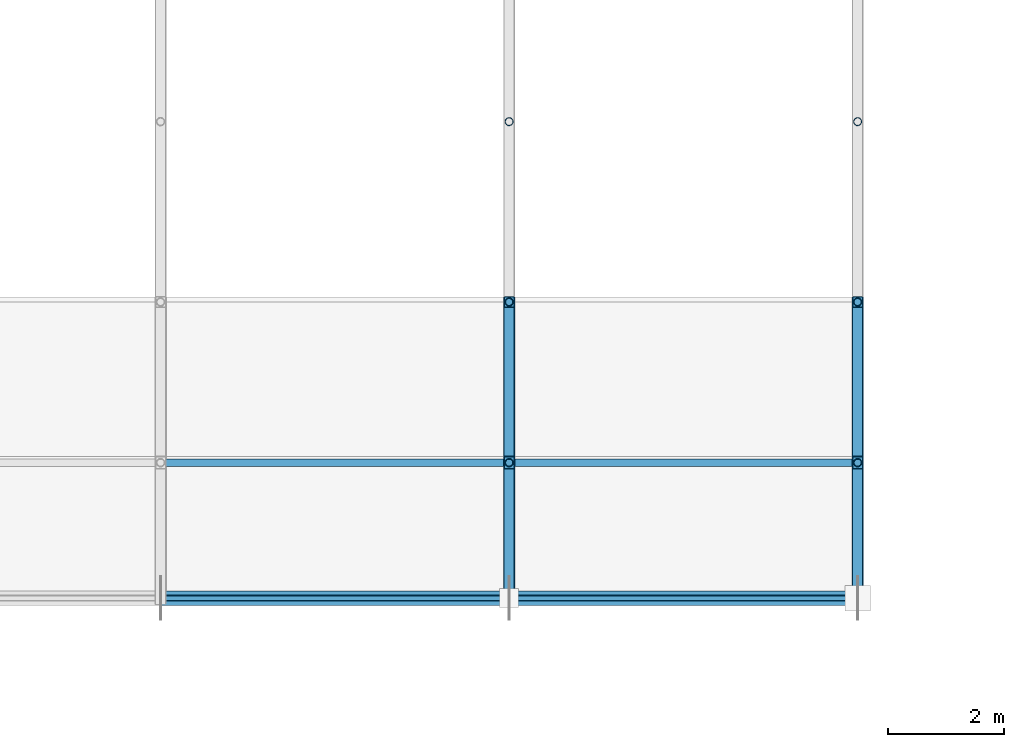
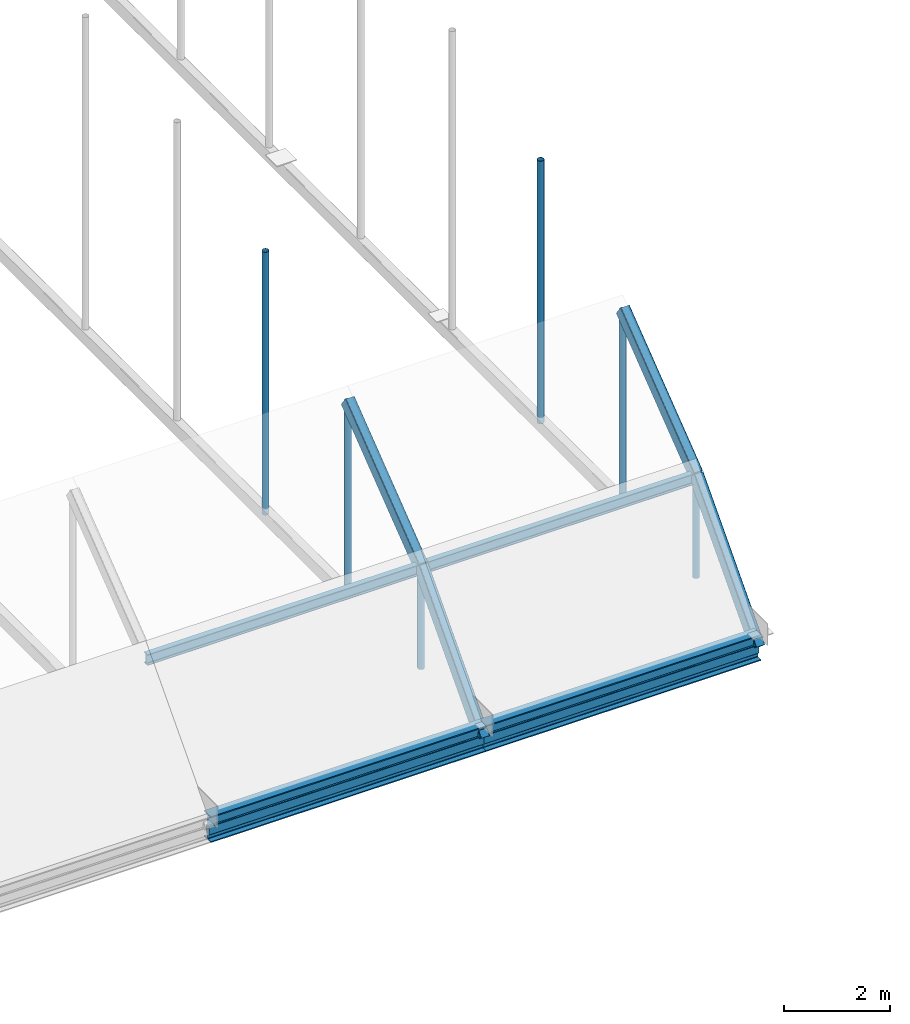
# One storey, part 25 of 63: 10 members, 6 beams.
"""IFC4 building model written with IfcOpenShell, lengths in metres."""

from ifc_helpers import new_model, si_unit, direction, frame, origin, origin_2d, place, context, subcontext, project, spatial, hollow_rectangle, hollow_circle, i_section, extrude, material, material_profile, profile_set, type_object, element, save


model = new_model("IFC4")

# Units and contexts
model_context = context("Model", 3, precision=1e-05, world=origin(), true_north=direction((0.0, 1.0)))
body_context = subcontext(model_context, "Body", "Model", "MODEL_VIEW")
ifc_project = project(units=[si_unit("LENGTHUNIT", "METRE"), si_unit("AREAUNIT", "SQUARE_METRE"), si_unit("VOLUMEUNIT", "CUBIC_METRE"), si_unit("PLANEANGLEUNIT", "RADIAN"), si_unit("MASSUNIT", "GRAM", prefix="KILO")], contexts=[model_context])

# Site, building, storey
site_placement = place(None, origin())
site = spatial("IfcSite", under=ifc_project, at=site_placement, CompositionType="ELEMENT")
building_placement = place(site_placement, origin())
building = spatial("IfcBuilding", under=site, at=building_placement, Name="Varnakota Square Police Headquarters", CompositionType="ELEMENT")
storey_placement = place(building_placement, frame((0.0, 0.0, 22.199951171875)))
storey = spatial("IfcBuildingStorey", under=building, at=storey_placement, Name="L05", CompositionType="ELEMENT", Elevation=22.199951171875)

# Beams
ifc_material = material(Name="Steel IS 2062 Grade 350", Category="steel")
ifc_material_profile_1 = material_profile(ifc_material, i_section(OverallWidth=0.25, OverallDepth=0.60009765625, WebThickness=0.01171875, FlangeThickness=0.023681640625, FilletRadius=0.01708984375, at=origin_2d()), Name="ISWB 600")
ifc_profile_set_1 = profile_set([ifc_material_profile_1], Name="Steel IS 2062 Grade 350")
beam_type_1 = type_object("IfcBeamType", Name="BM-ISWB600", PredefinedType="BEAM", material=ifc_profile_set_1)
for number, where, z_axis, x_axis, name in (
    (1, (84.0, 69.0, -0.300048828125), (1.0, 0.0, 0.0), (0.0, 1.0, 0.0), "Vault V2 south ring beam"),
    (2, (90.0, 69.0, -0.300048828125), (1.0, 0.0, 0.0), (0.0, 1.0, 0.0), "Vault V2 south ring beam"),
):
    element("IfcBeam", number, at=place(storey_placement, frame(where, z_axis=z_axis, x_axis=x_axis)), inside=storey, type_object=beam_type_1, Name=name, PredefinedType="BEAM", context=body_context, shape_type="SweptSolid", body=[
        extrude(i_section(OverallWidth=0.25, OverallDepth=0.60009765625, WebThickness=0.01171875, FlangeThickness=0.023681640625, FilletRadius=0.01708984375, at=origin_2d()), origin(), (0.0, 0.0, 1.0), 6.0),
    ])
ifc_material_profile_2 = material_profile(ifc_material, hollow_rectangle(XDim=0.199951171875, YDim=0.300048828125, WallThickness=0.011962890625, InnerFilletRadius=0.011962890625, OuterFilletRadius=0.02392578125, at=origin_2d()), Name="RHS 300x200x12")
ifc_profile_set_2 = profile_set([ifc_material_profile_2], Name="Steel IS 2062 Grade 350")
beam_type_2 = type_object("IfcBeamType", Name="BM-VR-RHS300", PredefinedType="BEAM", material=ifc_profile_set_2)
beam_1_placement = place(storey_placement, frame((90.0, 69.0, -0.366455078125), z_axis=(0.0, 0.671520631111, 0.740985858159), x_axis=(-1.0, 0.0, 0.0)))
element("IfcBeam", 3, at=beam_1_placement, inside=storey, type_object=beam_type_2, Name="Barrel vault arch rib chord VR-V2-R06-S01", PredefinedType="BEAM", context=body_context, shape_type="SweptSolid", body=[
    extrude(hollow_rectangle(XDim=0.199951171875, YDim=0.300048828125, WallThickness=0.011962890625, InnerFilletRadius=0.011962890625, OuterFilletRadius=0.02392578125, at=origin_2d()), origin(), (0.0, 0.0, 1.0), 3.472412109375),
])
beam_2_placement = place(storey_placement, frame((90.0, 71.331787109375, 2.20654296875), z_axis=(0.0, 0.792062306817, 0.610440252703), x_axis=(-1.0, 0.0, 0.0)))
element("IfcBeam", 4, at=beam_2_placement, inside=storey, type_object=beam_type_2, Name="Barrel vault arch rib chord VR-V2-R06-S02", PredefinedType="BEAM", context=body_context, shape_type="SweptSolid", body=[
    extrude(hollow_rectangle(XDim=0.199951171875, YDim=0.300048828125, WallThickness=0.011962890625, InnerFilletRadius=0.011962890625, OuterFilletRadius=0.02392578125, at=origin_2d()), origin(), (0.0, 0.0, 1.0), 3.4921875),
])
beam_3_placement = place(storey_placement, frame((96.0, 69.0, -0.366455078125), z_axis=(0.0, 0.671520631111, 0.740985858159), x_axis=(-1.0, 0.0, 0.0)))
element("IfcBeam", 5, at=beam_3_placement, inside=storey, type_object=beam_type_2, Name="Barrel vault arch rib chord VR-V2-R07-S01", PredefinedType="BEAM", context=body_context, shape_type="SweptSolid", body=[
    extrude(hollow_rectangle(XDim=0.199951171875, YDim=0.300048828125, WallThickness=0.011962890625, InnerFilletRadius=0.011962890625, OuterFilletRadius=0.02392578125, at=origin_2d()), origin(), (0.0, 0.0, 1.0), 3.472412109375),
])
beam_4_placement = place(storey_placement, frame((96.0, 71.331787109375, 2.20654296875), z_axis=(0.0, 0.792062306817, 0.610440252703), x_axis=(-1.0, 0.0, 0.0)))
element("IfcBeam", 6, at=beam_4_placement, inside=storey, type_object=beam_type_2, Name="Barrel vault arch rib chord VR-V2-R07-S02", PredefinedType="BEAM", context=body_context, shape_type="SweptSolid", body=[
    extrude(hollow_rectangle(XDim=0.199951171875, YDim=0.300048828125, WallThickness=0.011962890625, InnerFilletRadius=0.011962890625, OuterFilletRadius=0.02392578125, at=origin_2d()), origin(), (0.0, 0.0, 1.0), 3.4921875),
])

# Members
ifc_material_profile_3 = material_profile(ifc_material, hollow_circle(Radius=0.06982421875, WallThickness=0.006103515625, at=origin_2d()), Name="CHS 139.7x6.0")
ifc_profile_set_3 = profile_set([ifc_material_profile_3], Name="Steel IS 2062 Grade 350")
member_type_1 = type_object("IfcMemberType", Name="MEM-HNG-CHS139", PredefinedType="STRUT", material=ifc_profile_set_3)
member_1_placement = place(storey_placement, frame((90.0, 71.331787109375, -0.14990234375), z_axis=(0.0, 0.0, 1.0), x_axis=(1.0, 0.0, 0.0)))
element("IfcMember", 7, at=member_1_placement, inside=storey, type_object=member_type_1, Name="Barrel vault hanger strut V2-R06-N1", PredefinedType="STRUT", context=body_context, shape_type="SweptSolid", body=[
    extrude(hollow_circle(Radius=0.06982421875, WallThickness=0.006103515625, at=origin_2d()), origin(), (0.0, 0.0, 1.0), 2.3564453125),
])
member_2_placement = place(storey_placement, frame((90.0, 74.097900390625, -0.14990234375), z_axis=(0.0, 0.0, 1.0), x_axis=(1.0, 0.0, 0.0)))
element("IfcMember", 8, at=member_2_placement, inside=storey, type_object=member_type_1, Name="Barrel vault hanger strut V2-R06-N2", PredefinedType="STRUT", context=body_context, shape_type="SweptSolid", body=[
    extrude(hollow_circle(Radius=0.06982421875, WallThickness=0.006103515625, at=origin_2d()), origin(), (0.0, 0.0, 1.0), 4.48828125),
])
member_3_placement = place(storey_placement, frame((90.0, 77.20361328125, -0.14990234375), z_axis=(0.0, 0.0, 1.0), x_axis=(1.0, 0.0, 0.0)))
element("IfcMember", 9, at=member_3_placement, inside=storey, type_object=member_type_1, Name="Barrel vault hanger strut V2-R06-N3", PredefinedType="STRUT", context=body_context, shape_type="SweptSolid", body=[
    extrude(hollow_circle(Radius=0.06982421875, WallThickness=0.006103515625, at=origin_2d()), origin(), (0.0, 0.0, 1.0), 6.060302734375),
])
member_4_placement = place(storey_placement, frame((96.0, 71.331787109375, -0.14990234375), z_axis=(0.0, 0.0, 1.0), x_axis=(1.0, 0.0, 0.0)))
element("IfcMember", 10, at=member_4_placement, inside=storey, type_object=member_type_1, Name="Barrel vault hanger strut V2-R07-N1", PredefinedType="STRUT", context=body_context, shape_type="SweptSolid", body=[
    extrude(hollow_circle(Radius=0.06982421875, WallThickness=0.006103515625, at=origin_2d()), origin(), (0.0, 0.0, 1.0), 2.3564453125),
])
member_5_placement = place(storey_placement, frame((96.0, 74.097900390625, -0.14990234375), z_axis=(0.0, 0.0, 1.0), x_axis=(1.0, 0.0, 0.0)))
element("IfcMember", 11, at=member_5_placement, inside=storey, type_object=member_type_1, Name="Barrel vault hanger strut V2-R07-N2", PredefinedType="STRUT", context=body_context, shape_type="SweptSolid", body=[
    extrude(hollow_circle(Radius=0.06982421875, WallThickness=0.006103515625, at=origin_2d()), origin(), (0.0, 0.0, 1.0), 4.48828125),
])
member_6_placement = place(storey_placement, frame((96.0, 77.20361328125, -0.14990234375), z_axis=(0.0, 0.0, 1.0), x_axis=(1.0, 0.0, 0.0)))
element("IfcMember", 12, at=member_6_placement, inside=storey, type_object=member_type_1, Name="Barrel vault hanger strut V2-R07-N3", PredefinedType="STRUT", context=body_context, shape_type="SweptSolid", body=[
    extrude(hollow_circle(Radius=0.06982421875, WallThickness=0.006103515625, at=origin_2d()), origin(), (0.0, 0.0, 1.0), 6.060302734375),
])
ifc_material_profile_4 = material_profile(ifc_material, i_section(OverallWidth=0.125, OverallDepth=0.25, WebThickness=0.0068359375, FlangeThickness=0.012451171875, FilletRadius=0.012939453125, at=origin_2d()), Name="ISMB 250")
ifc_profile_set_4 = profile_set([ifc_material_profile_4], Name="Steel IS 2062 Grade 350")
member_type_2 = type_object("IfcMemberType", Name="MEM-PUR-ISMB250", PredefinedType="PURLIN", material=ifc_profile_set_4)
for number, where, z_axis, x_axis, name in (
    (13, (84.0, 71.331787109375, 2.156494140625), (1.0, 0.0, 0.0), (0.0, 1.0, 0.0), "Vault roof purlin V2-B05-N01"),
    (14, (90.0, 71.331787109375, 2.156494140625), (1.0, 0.0, 0.0), (0.0, 1.0, 0.0), "Vault roof purlin V2-B06-N01"),
):
    element("IfcMember", number, at=place(storey_placement, frame(where, z_axis=z_axis, x_axis=x_axis)), inside=storey, type_object=member_type_2, Name=name, PredefinedType="PURLIN", context=body_context, shape_type="SweptSolid", body=[
        extrude(i_section(OverallWidth=0.125, OverallDepth=0.25, WebThickness=0.0068359375, FlangeThickness=0.012451171875, FilletRadius=0.012939453125, at=origin_2d()), origin(), (0.0, 0.0, 1.0), 6.0),
    ])
ifc_material_profile_5 = material_profile(ifc_material, hollow_rectangle(XDim=0.10009765625, YDim=0.199951171875, WallThickness=0.008056640625, InnerFilletRadius=0.008056640625, OuterFilletRadius=0.01611328125, at=origin_2d()), Name="RHS 200x100x8")
ifc_profile_set_5 = profile_set([ifc_material_profile_5], Name="Steel IS 2062 Grade 350")
member_type_3 = type_object("IfcMemberType", Name="MEM-PUR-RHS200", PredefinedType="PURLIN", material=ifc_profile_set_5)
for number, where, z_axis, x_axis, name in (
    (15, (84.0, 69.0, -0.377685546875), (1.0, 0.0, 0.0), (0.0, 1.0, 0.0), "Vault roof purlin V2-B05-N00"),
    (16, (90.0, 69.0, -0.377685546875), (1.0, 0.0, 0.0), (0.0, 1.0, 0.0), "Vault roof purlin V2-B06-N00"),
):
    element("IfcMember", number, at=place(storey_placement, frame(where, z_axis=z_axis, x_axis=x_axis)), inside=storey, type_object=member_type_3, Name=name, PredefinedType="PURLIN", context=body_context, shape_type="SweptSolid", body=[
        extrude(hollow_rectangle(XDim=0.10009765625, YDim=0.199951171875, WallThickness=0.008056640625, InnerFilletRadius=0.008056640625, OuterFilletRadius=0.01611328125, at=origin_2d()), origin(), (0.0, 0.0, 1.0), 6.0),
    ])

save(model, "model.ifc")
